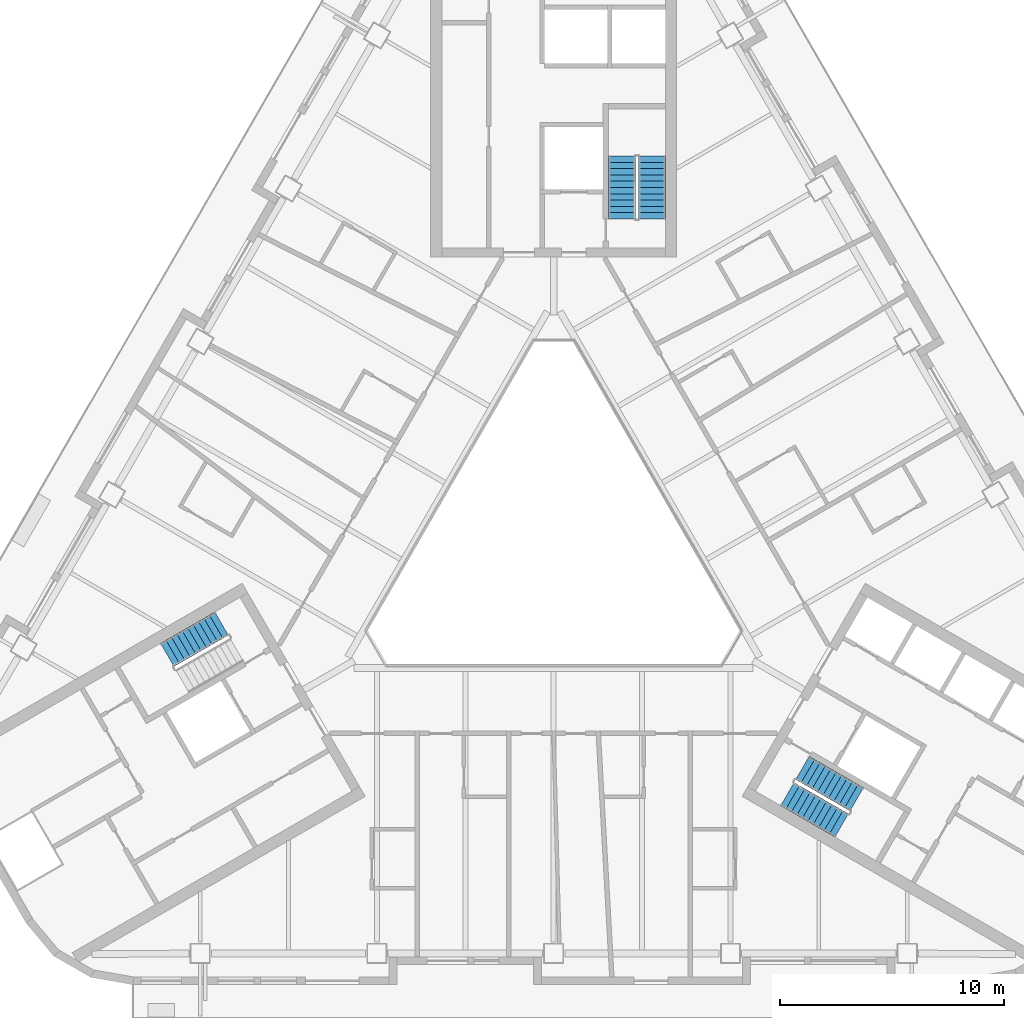
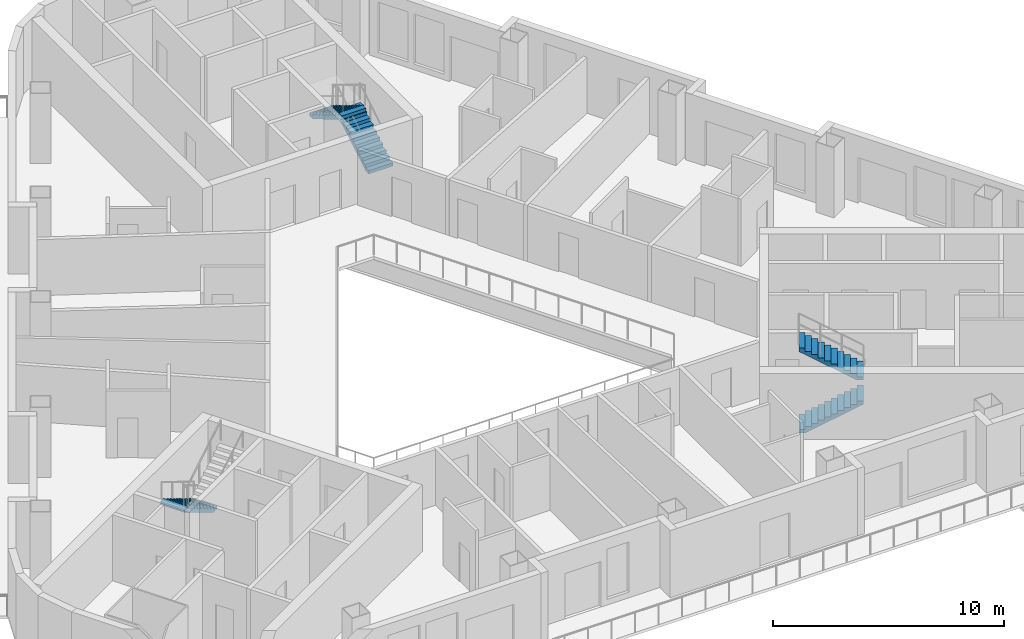
# One storey, part 8 of 14: 5 stair flights, 3 elements without a shape of their own.
"""IFC4 building model written with IfcOpenShell, lengths in metres."""

from ifc_helpers import new_model, si_unit, direction, frame, origin, place, context, subcontext, project, spatial, polyline, outline, extrude, material, type_object, element, aggregate, save


model = new_model("IFC4")

# Units and contexts
model_context = context("Model", 3, precision=1e-05, world=origin(), true_north=direction((0.0, 1.0)))
body_context = subcontext(model_context, "Body", "Model", "MODEL_VIEW")
ifc_project = project(units=[si_unit("LENGTHUNIT", "METRE"), si_unit("AREAUNIT", "SQUARE_METRE"), si_unit("VOLUMEUNIT", "CUBIC_METRE"), si_unit("PLANEANGLEUNIT", "RADIAN"), si_unit("MASSUNIT", "GRAM", prefix="KILO")], contexts=[model_context])

# Site, building, storey
site_placement = place(None, origin())
site = spatial("IfcSite", under=ifc_project, at=site_placement, CompositionType="ELEMENT")
building_placement = place(site_placement, origin())
building = spatial("IfcBuilding", under=site, at=building_placement, Name="Apuvela Tower Hotel", CompositionType="ELEMENT")
storey_placement = place(building_placement, frame((0.0, 0.0, 87.199951171875)))
storey = spatial("IfcBuildingStorey", under=building, at=storey_placement, Name="L19", CompositionType="ELEMENT", Elevation=87.199951171875)

# Stair, stair flights
ifc_material = material(Name="Concrete C50/60", Category="concrete")
stair_type = type_object("IfcStairType", Name="COR-STAIR-22R", PredefinedType="HALF_TURN_STAIR", material=ifc_material)
stair_1_placement = place(storey_placement, origin())
stair_1 = element("IfcStair", 1, at=stair_1_placement, inside=storey, type_object=stair_type, Name="L19 Exit stair ST1", PredefinedType="HALF_TURN_STAIR")
stair_flight_type = type_object("IfcStairFlightType", Name="COR-FLIGHT-11R", PredefinedType="STRAIGHT", material=ifc_material)
stair_flight_1_placement = place(storey_placement, frame((4.39990234375, 14.60009765625, 0.0), z_axis=(0.0, 0.0, 1.0), x_axis=(0.0, 1.0, 0.0)))
stair_flight_1 = element("IfcStairFlight", 2, at=stair_flight_1_placement, type_object=stair_flight_type, Name="ST1 flight 1", NumberOfRisers=11, NumberOfTreads=10, PredefinedType="STRAIGHT", RiserHeight=0.168181818, TreadLength=0.28, context=body_context, shape_type="SweptSolid", body=[
    extrude(outline(polyline([(0.0, 0.0), (0.0, 0.168212890625), (0.280029296875, 0.168212890625), (0.280029296875, 0.33642578125), (0.56005859375, 0.33642578125), (0.56005859375, 0.504638671875), (0.840087890625, 0.504638671875), (0.840087890625, 0.672607421875), (1.1201171875, 0.672607421875), (1.1201171875, 0.8408203125), (1.39990234375, 0.8408203125), (1.39990234375, 1.009033203125), (1.679931640625, 1.009033203125), (1.679931640625, 1.17724609375), (1.9599609375, 1.17724609375), (1.9599609375, 1.345458984375), (2.239990234375, 1.345458984375), (2.239990234375, 1.513671875), (2.52001953125, 1.513671875), (2.52001953125, 1.681884765625), (2.800048828125, 1.681884765625), (2.800048828125, 1.85009765625), (2.800048828125, 1.5068359375), (0.291015625, 0.0), (0.0, 0.0)])), frame((0.0, 0.60009765625, 0.0), z_axis=(0.0, -1.0, 0.0), x_axis=(1.0, 0.0, 0.0)), (0.0, 0.0, 1.0), 1.199951171875),
])
stair_flight_2_placement = place(storey_placement, frame((3.050048828125, 17.39990234375, 1.85009765625), z_axis=(0.0, 0.0, 1.0), x_axis=(0.0, -1.0, 0.0)))
stair_flight_2 = element("IfcStairFlight", 3, at=stair_flight_2_placement, type_object=stair_flight_type, Name="ST1 flight 2", NumberOfRisers=11, NumberOfTreads=10, PredefinedType="STRAIGHT", RiserHeight=0.168181818, TreadLength=0.28, context=body_context, shape_type="SweptSolid", body=[
    extrude(outline(polyline([(0.0, 0.0), (0.0, 0.168212890625), (0.280029296875, 0.168212890625), (0.280029296875, 0.33642578125), (0.56005859375, 0.33642578125), (0.56005859375, 0.504638671875), (0.840087890625, 0.504638671875), (0.840087890625, 0.672607421875), (1.1201171875, 0.672607421875), (1.1201171875, 0.8408203125), (1.39990234375, 0.8408203125), (1.39990234375, 1.009033203125), (1.679931640625, 1.009033203125), (1.679931640625, 1.17724609375), (1.9599609375, 1.17724609375), (1.9599609375, 1.345458984375), (2.239990234375, 1.345458984375), (2.239990234375, 1.513671875), (2.52001953125, 1.513671875), (2.52001953125, 1.681884765625), (2.800048828125, 1.681884765625), (2.800048828125, 1.85009765625), (2.800048828125, 1.5068359375), (0.291015625, 0.0), (0.0, 0.0)])), frame((0.0, 0.60009765625, 0.0), z_axis=(0.0, -1.0, 0.0), x_axis=(1.0, 0.0, 0.0)), (0.0, 0.0, 1.0), 1.199951171875),
])
aggregate(stair_1, [stair_flight_1, stair_flight_2])

# Stair, stair flight
stair_2_placement = place(storey_placement, origin())
stair_2 = element("IfcStair", 4, at=stair_2_placement, inside=storey, type_object=stair_type, Name="L19 Exit stair ST2", PredefinedType="HALF_TURN_STAIR")
stair_flight_3_placement = place(storey_placement, frame((-14.843994140625, -3.489501953125, 0.0), z_axis=(0.0, 0.0, 1.0), x_axis=(-0.866025403784, -0.5, 0.0)))
stair_flight_3 = element("IfcStairFlight", 5, at=stair_flight_3_placement, type_object=stair_flight_type, Name="ST2 flight 1", NumberOfRisers=11, NumberOfTreads=10, PredefinedType="STRAIGHT", RiserHeight=0.168181818, TreadLength=0.28, context=body_context, shape_type="SweptSolid", body=[
    extrude(outline(polyline([(0.0, 0.0), (0.0, 0.168212890625), (0.280029296875, 0.168212890625), (0.280029296875, 0.33642578125), (0.56005859375, 0.33642578125), (0.56005859375, 0.504638671875), (0.840087890625, 0.504638671875), (0.840087890625, 0.672607421875), (1.1201171875, 0.672607421875), (1.1201171875, 0.8408203125), (1.39990234375, 0.8408203125), (1.39990234375, 1.009033203125), (1.679931640625, 1.009033203125), (1.679931640625, 1.17724609375), (1.9599609375, 1.17724609375), (1.9599609375, 1.345458984375), (2.239990234375, 1.345458984375), (2.239990234375, 1.513671875), (2.52001953125, 1.513671875), (2.52001953125, 1.681884765625), (2.800048828125, 1.681884765625), (2.800048828125, 1.85009765625), (2.800048828125, 1.5068359375), (0.291015625, 0.0), (0.0, 0.0)])), frame((0.0, 0.60009765625, 0.0), z_axis=(0.0, -1.0, 0.0), x_axis=(1.0, 0.0, 0.0)), (0.0, 0.0, 1.0), 1.199951171875),
])
aggregate(stair_2, [stair_flight_3])

# Stair, stair flights
stair_3_placement = place(storey_placement, origin())
stair_3 = element("IfcStair", 6, at=stair_3_placement, inside=storey, type_object=stair_type, Name="L19 Exit stair ST3", PredefinedType="HALF_TURN_STAIR")
stair_flight_4_placement = place(storey_placement, frame((10.444091796875, -11.110595703125, 0.0), z_axis=(0.0, 0.0, 1.0), x_axis=(0.866025403784, -0.5, 0.0)))
stair_flight_4 = element("IfcStairFlight", 7, at=stair_flight_4_placement, type_object=stair_flight_type, Name="ST3 flight 1", NumberOfRisers=11, NumberOfTreads=10, PredefinedType="STRAIGHT", RiserHeight=0.168181818, TreadLength=0.28, context=body_context, shape_type="SweptSolid", body=[
    extrude(outline(polyline([(0.0, 0.0), (0.0, 0.168212890625), (0.280029296875, 0.168212890625), (0.280029296875, 0.33642578125), (0.56005859375, 0.33642578125), (0.56005859375, 0.504638671875), (0.840087890625, 0.504638671875), (0.840087890625, 0.672607421875), (1.1201171875, 0.672607421875), (1.1201171875, 0.8408203125), (1.39990234375, 0.8408203125), (1.39990234375, 1.009033203125), (1.679931640625, 1.009033203125), (1.679931640625, 1.17724609375), (1.9599609375, 1.17724609375), (1.9599609375, 1.345458984375), (2.239990234375, 1.345458984375), (2.239990234375, 1.513671875), (2.52001953125, 1.513671875), (2.52001953125, 1.681884765625), (2.800048828125, 1.681884765625), (2.800048828125, 1.85009765625), (2.800048828125, 1.5068359375), (0.291015625, 0.0), (0.0, 0.0)])), frame((0.0, 0.60009765625, 0.0), z_axis=(0.0, -1.0, 0.0), x_axis=(1.0, 0.0, 0.0)), (0.0, 0.0, 1.0), 1.199951171875),
])
stair_flight_5_placement = place(storey_placement, frame((13.5439453125, -11.34130859375, 1.85009765625), z_axis=(0.0, 0.0, 1.0), x_axis=(-0.866025403784, 0.5, 0.0)))
stair_flight_5 = element("IfcStairFlight", 8, at=stair_flight_5_placement, type_object=stair_flight_type, Name="ST3 flight 2", NumberOfRisers=11, NumberOfTreads=10, PredefinedType="STRAIGHT", RiserHeight=0.168181818, TreadLength=0.28, context=body_context, shape_type="SweptSolid", body=[
    extrude(outline(polyline([(0.0, 0.0), (0.0, 0.168212890625), (0.280029296875, 0.168212890625), (0.280029296875, 0.33642578125), (0.56005859375, 0.33642578125), (0.56005859375, 0.504638671875), (0.840087890625, 0.504638671875), (0.840087890625, 0.672607421875), (1.1201171875, 0.672607421875), (1.1201171875, 0.8408203125), (1.39990234375, 0.8408203125), (1.39990234375, 1.009033203125), (1.679931640625, 1.009033203125), (1.679931640625, 1.17724609375), (1.9599609375, 1.17724609375), (1.9599609375, 1.345458984375), (2.239990234375, 1.345458984375), (2.239990234375, 1.513671875), (2.52001953125, 1.513671875), (2.52001953125, 1.681884765625), (2.800048828125, 1.681884765625), (2.800048828125, 1.85009765625), (2.800048828125, 1.5068359375), (0.291015625, 0.0), (0.0, 0.0)])), frame((0.0, 0.60009765625, 0.0), z_axis=(0.0, -1.0, 0.0), x_axis=(1.0, 0.0, 0.0)), (0.0, 0.0, 1.0), 1.199951171875),
])
aggregate(stair_3, [stair_flight_4, stair_flight_5])

save(model, "model.ifc")
